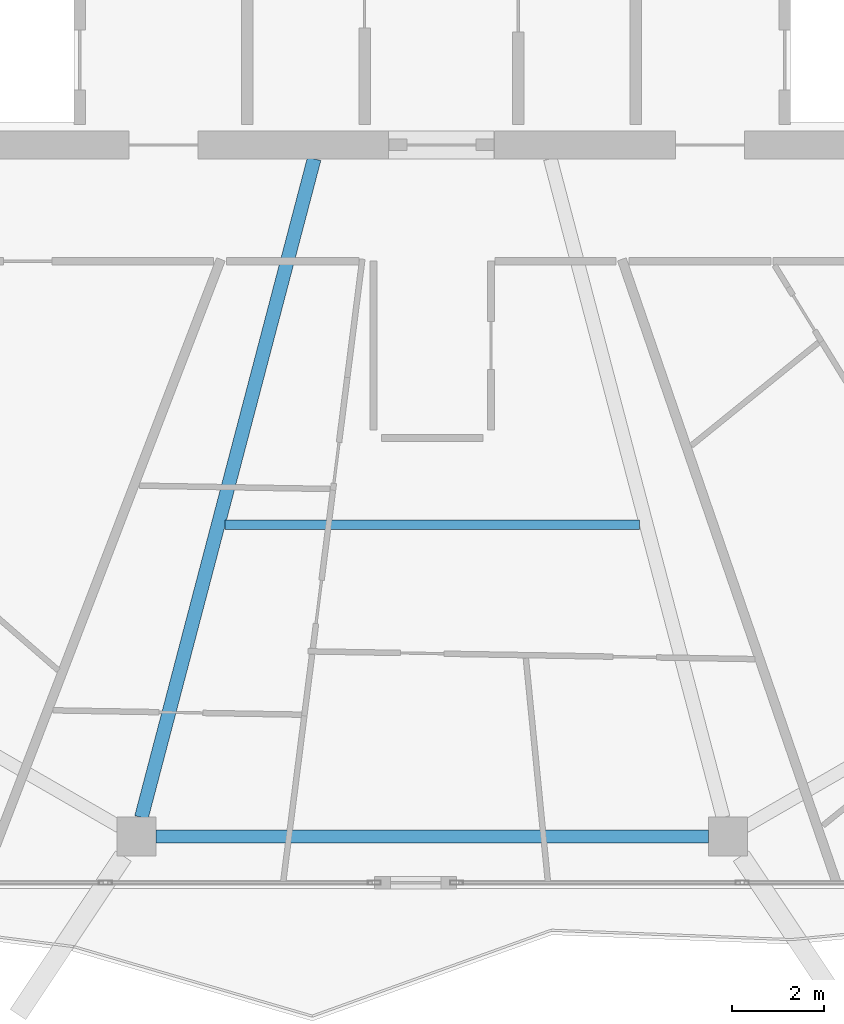
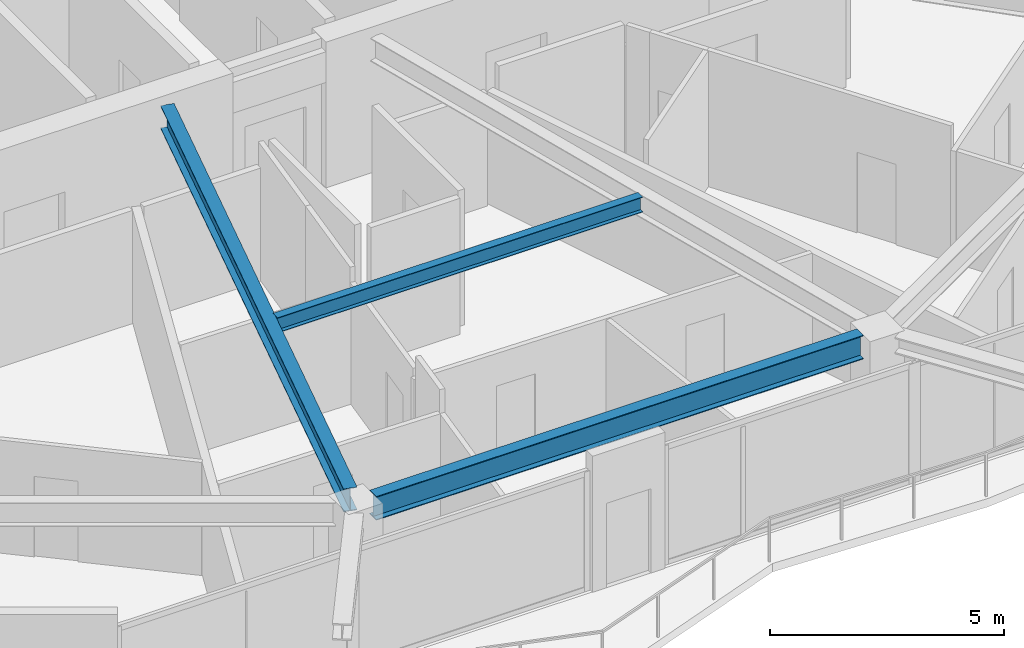
# One storey, part 4 of 26: 3 beams.
"""IFC4 building model written with IfcOpenShell, lengths in metres."""

from ifc_helpers import new_model, si_unit, direction, frame, origin, origin_2d, place, context, subcontext, project, spatial, i_section, extrude, material, material_profile, profile_set, type_object, element, save


model = new_model("IFC4")

# Units and contexts
model_context = context("Model", 3, precision=1e-05, world=origin(), true_north=direction((0.0, 1.0)))
body_context = subcontext(model_context, "Body", "Model", "MODEL_VIEW")
ifc_project = project(units=[si_unit("LENGTHUNIT", "METRE"), si_unit("AREAUNIT", "SQUARE_METRE"), si_unit("VOLUMEUNIT", "CUBIC_METRE"), si_unit("PLANEANGLEUNIT", "RADIAN"), si_unit("MASSUNIT", "GRAM", prefix="KILO")], contexts=[model_context])

# Site, building, storey
site_placement = place(None, origin())
site = spatial("IfcSite", under=ifc_project, at=site_placement, CompositionType="ELEMENT")
building_placement = place(site_placement, origin())
building = spatial("IfcBuilding", under=site, at=building_placement, Name="Zuhravey Tower", CompositionType="ELEMENT")
storey_placement = place(building_placement, frame((0.0, 0.0, 288.199951171875)))
storey = spatial("IfcBuildingStorey", under=building, at=storey_placement, Name="L73", CompositionType="ELEMENT", Elevation=288.199951171875)

# Beams
ifc_material = material(Name="Steel SM355", Category="steel")
ifc_material_profile_1 = material_profile(ifc_material, i_section(OverallWidth=0.280029296875, OverallDepth=0.6201171875, WebThickness=0.011962890625, FlangeThickness=0.02001953125, at=origin_2d()), Name="H-620x280x12x20")
ifc_profile_set_1 = profile_set([ifc_material_profile_1], Name="Steel SM355")
beam_type_1 = type_object("IfcBeamType", Name="Perimeter Ring Beam H620x280", PredefinedType="BEAM", material=ifc_profile_set_1)
beam_1_placement = place(storey_placement, frame((29.987060546875, 7.4462890625, 3.239990234375), z_axis=(1.0, 0.0, 0.0), x_axis=(0.0, 1.0, 0.0)))
element("IfcBeam", 1, at=beam_1_placement, inside=storey, type_object=beam_type_1, Name="L73 PB3 BM-L73-PB-09", PredefinedType="BEAM", context=body_context, shape_type="SweptSolid", body=[
    extrude(i_section(OverallWidth=0.280029296875, OverallDepth=0.6201171875, WebThickness=0.011962890625, FlangeThickness=0.02001953125, at=origin_2d()), origin(), (0.0, 0.0, 1.0), 12.02587890625),
])
ifc_material_profile_2 = material_profile(ifc_material, i_section(OverallWidth=0.300048828125, OverallDepth=0.60009765625, WebThickness=0.011962890625, FlangeThickness=0.02001953125, at=origin_2d()), Name="H-600x300x12x20")
ifc_profile_set_2 = profile_set([ifc_material_profile_2], Name="Steel SM355")
beam_type_2 = type_object("IfcBeamType", Name="Radial Primary Girder H600x300", PredefinedType="BEAM", material=ifc_profile_set_2)
beam_2_placement = place(storey_placement, frame((33.428466796875, 22.197021484375, 3.25), z_axis=(-0.25373188956, -0.967274587809, 0.0), x_axis=(0.967274587809, -0.25373188956, 0.0)))
element("IfcBeam", 2, at=beam_2_placement, inside=storey, type_object=beam_type_2, Name="L73 RG3 BM-L73-RAD-09", PredefinedType="BEAM", context=body_context, shape_type="SweptSolid", body=[
    extrude(i_section(OverallWidth=0.300048828125, OverallDepth=0.60009765625, WebThickness=0.011962890625, FlangeThickness=0.02001953125, at=origin_2d()), origin(), (0.0, 0.0, 1.0), 14.82177734375),
])
ifc_material_profile_3 = material_profile(ifc_material, i_section(OverallWidth=0.199951171875, OverallDepth=0.39990234375, WebThickness=0.008056640625, FlangeThickness=0.012939453125, at=origin_2d()), Name="H-400x200x8x13")
ifc_profile_set_3 = profile_set([ifc_material_profile_3], Name="Steel SM355")
beam_type_3 = type_object("IfcBeamType", Name="Secondary Floor Joist H400x200", PredefinedType="JOIST", material=ifc_profile_set_3)
beam_3_placement = place(storey_placement, frame((31.492919921875, 14.231689453125, 3.35009765625), z_axis=(1.0, 0.0, 0.0), x_axis=(0.0, 1.0, 0.0)))
element("IfcBeam", 3, at=beam_3_placement, inside=storey, type_object=beam_type_3, Name="L73 SJ2 BM-L73-SJ-09-1", PredefinedType="JOIST", context=body_context, shape_type="SweptSolid", body=[
    extrude(i_section(OverallWidth=0.199951171875, OverallDepth=0.39990234375, WebThickness=0.008056640625, FlangeThickness=0.012939453125, at=origin_2d()), origin(), (0.0, 0.0, 1.0), 9.01416015625),
])

save(model, "model.ifc")
